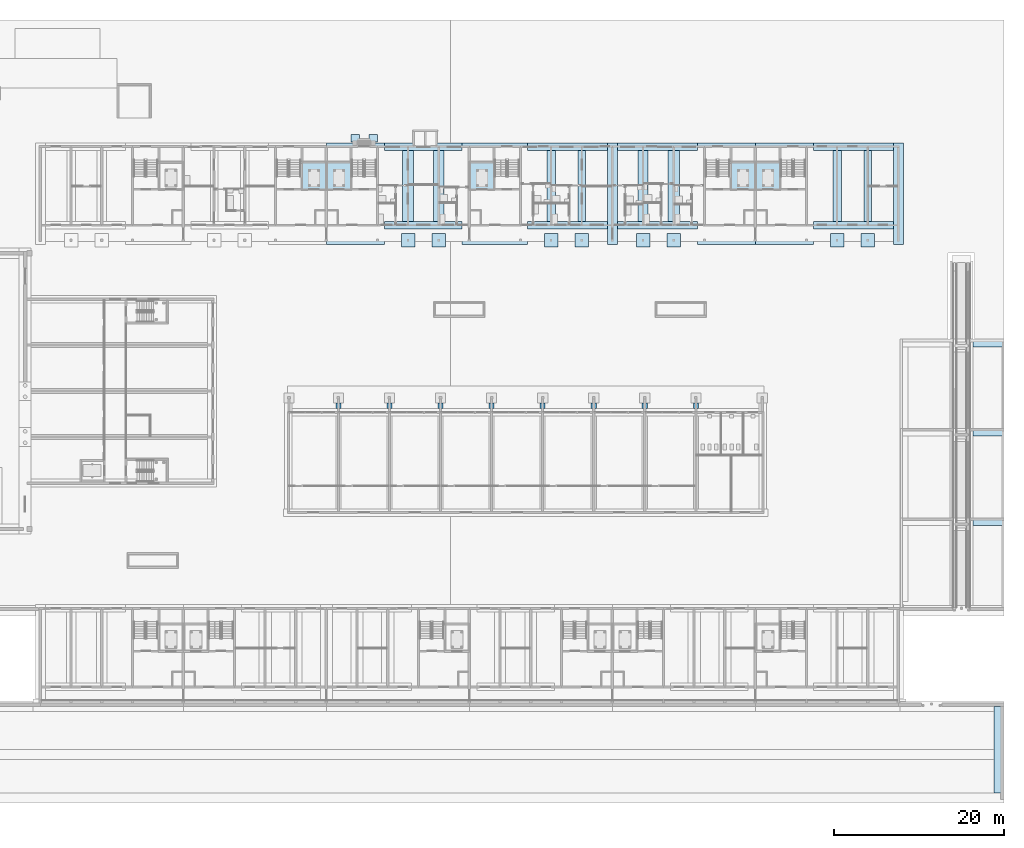
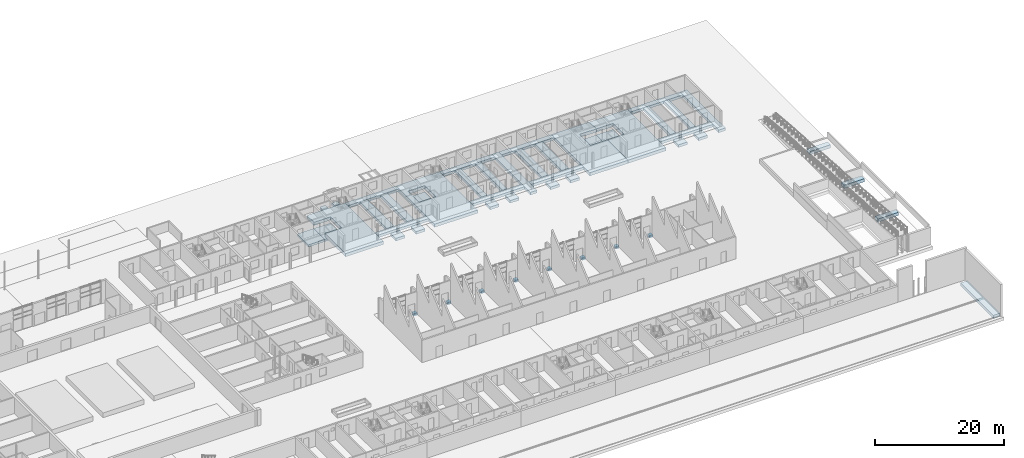
# One storey, part 6 of 112: 49 footings.
"""IFC4 building model written with IfcOpenShell, lengths in metres."""

from ifc_helpers import new_model, si_unit, direction, frame, origin, place, context, subcontext, project, spatial, polyline, outline, extrude, material, type_object, element, save


model = new_model("IFC4")

# Units and contexts
model_context = context("Model", 3, precision=1e-05, world=origin(), true_north=direction((0.0, 1.0)))
body_context = subcontext(model_context, "Body", "Model", "MODEL_VIEW")
ifc_project = project(units=[si_unit("LENGTHUNIT", "METRE"), si_unit("AREAUNIT", "SQUARE_METRE"), si_unit("VOLUMEUNIT", "CUBIC_METRE"), si_unit("PLANEANGLEUNIT", "RADIAN"), si_unit("MASSUNIT", "GRAM", prefix="KILO")], contexts=[model_context])

# Site, building, storey
site_placement = place(None, origin())
site = spatial("IfcSite", under=ifc_project, at=site_placement, CompositionType="ELEMENT")
building_placement = place(site_placement, origin())
building = spatial("IfcBuilding", under=site, at=building_placement, Name="Ridgestep Commons", CompositionType="ELEMENT")
storey_placement = place(building_placement, origin())
storey = spatial("IfcBuildingStorey", under=building, at=storey_placement, Name="L00", CompositionType="ELEMENT", Elevation=0.0)

# Footings
ifc_material_1 = material(Name="Concrete C30/37", Category="concrete")
footing_type_1 = type_object("IfcFootingType", Name="Community strip footing 1200 x 600", PredefinedType="STRIP_FOOTING", material=ifc_material_1)
footing_1_placement = place(storey_placement, frame((0.0, 0.0, -0.85009765625)))
element("IfcFooting", 1, at=footing_1_placement, inside=storey, type_object=footing_type_1, Name="Strip footing 1200 x 600", PredefinedType="STRIP_FOOTING", context=body_context, shape_type="SweptSolid", body=[
    extrude(outline(polyline([(258.798095703125, 1.199951171875), (259.998046875, 1.199951171875), (259.998046875, 11.35009765625), (258.798095703125, 11.35009765625), (258.798095703125, 1.199951171875)])), origin(), (0.0, 0.0, 1.0), 0.60009765625),
])
ifc_material_2 = material(Name="Concrete C30/37", Category="concrete")
footing_type_2 = type_object("IfcFootingType", Name="Community strip footing 600 x 450", PredefinedType="STRIP_FOOTING", material=ifc_material_2)
footing_2_placement = place(storey_placement, frame((0.0, 0.0, -0.699951171875)))
element("IfcFooting", 2, at=footing_2_placement, inside=storey, type_object=footing_type_2, Name="Strip footing 600 x 450", PredefinedType="STRIP_FOOTING", context=body_context, shape_type="SweptSolid", body=[
    extrude(outline(polyline([(181.5, 46.35009765625), (182.10009765625, 46.35009765625), (182.10009765625, 47.0), (181.5, 47.0), (181.5, 46.35009765625)])), origin(), (0.0, 0.0, 1.0), 0.449951171875),
])
footing_3_placement = place(storey_placement, frame((0.0, 0.0, -0.699951171875)))
element("IfcFooting", 3, at=footing_3_placement, inside=storey, type_object=footing_type_2, Name="Strip footing 600 x 450", PredefinedType="STRIP_FOOTING", context=body_context, shape_type="SweptSolid", body=[
    extrude(outline(polyline([(187.5, 46.35009765625), (188.10009765625, 46.35009765625), (188.10009765625, 47.0), (187.5, 47.0), (187.5, 46.35009765625)])), origin(), (0.0, 0.0, 1.0), 0.449951171875),
])
footing_4_placement = place(storey_placement, frame((0.0, 0.0, -0.699951171875)))
element("IfcFooting", 4, at=footing_4_placement, inside=storey, type_object=footing_type_2, Name="Strip footing 600 x 450", PredefinedType="STRIP_FOOTING", context=body_context, shape_type="SweptSolid", body=[
    extrude(outline(polyline([(193.5, 46.35009765625), (194.10009765625, 46.35009765625), (194.10009765625, 47.0), (193.5, 47.0), (193.5, 46.35009765625)])), origin(), (0.0, 0.0, 1.0), 0.449951171875),
])
footing_5_placement = place(storey_placement, frame((0.0, 0.0, -0.699951171875)))
element("IfcFooting", 5, at=footing_5_placement, inside=storey, type_object=footing_type_2, Name="Strip footing 600 x 450", PredefinedType="STRIP_FOOTING", context=body_context, shape_type="SweptSolid", body=[
    extrude(outline(polyline([(199.5, 46.35009765625), (200.10009765625, 46.35009765625), (200.10009765625, 47.0), (199.5, 47.0), (199.5, 46.35009765625)])), origin(), (0.0, 0.0, 1.0), 0.449951171875),
])
footing_6_placement = place(storey_placement, frame((0.0, 0.0, -0.699951171875)))
element("IfcFooting", 6, at=footing_6_placement, inside=storey, type_object=footing_type_2, Name="Strip footing 600 x 450", PredefinedType="STRIP_FOOTING", context=body_context, shape_type="SweptSolid", body=[
    extrude(outline(polyline([(205.5, 46.35009765625), (206.10009765625, 46.35009765625), (206.10009765625, 47.0), (205.5, 47.0), (205.5, 46.35009765625)])), origin(), (0.0, 0.0, 1.0), 0.449951171875),
])
footing_7_placement = place(storey_placement, frame((0.0, 0.0, -0.699951171875)))
element("IfcFooting", 7, at=footing_7_placement, inside=storey, type_object=footing_type_2, Name="Strip footing 600 x 450", PredefinedType="STRIP_FOOTING", context=body_context, shape_type="SweptSolid", body=[
    extrude(outline(polyline([(211.5, 46.35009765625), (212.10009765625, 46.35009765625), (212.10009765625, 47.0), (211.5, 47.0), (211.5, 46.35009765625)])), origin(), (0.0, 0.0, 1.0), 0.449951171875),
])
footing_8_placement = place(storey_placement, frame((0.0, 0.0, -0.699951171875)))
element("IfcFooting", 8, at=footing_8_placement, inside=storey, type_object=footing_type_2, Name="Strip footing 600 x 450", PredefinedType="STRIP_FOOTING", context=body_context, shape_type="SweptSolid", body=[
    extrude(outline(polyline([(217.5, 46.35009765625), (218.10009765625, 46.35009765625), (218.10009765625, 47.0), (217.5, 47.0), (217.5, 46.35009765625)])), origin(), (0.0, 0.0, 1.0), 0.449951171875),
])
footing_9_placement = place(storey_placement, frame((0.0, 0.0, -0.699951171875)))
element("IfcFooting", 9, at=footing_9_placement, inside=storey, type_object=footing_type_2, Name="Strip footing 600 x 450", PredefinedType="STRIP_FOOTING", context=body_context, shape_type="SweptSolid", body=[
    extrude(outline(polyline([(223.5, 46.35009765625), (224.10009765625, 46.35009765625), (224.10009765625, 47.0), (223.5, 47.0), (223.5, 46.35009765625)])), origin(), (0.0, 0.0, 1.0), 0.449951171875),
])
ifc_material_3 = material(Name="Concrete C30/37", Category="concrete")
footing_type_3 = type_object("IfcFootingType", Name="Community strip footing 900 x 600", PredefinedType="STRIP_FOOTING", material=ifc_material_3)
footing_10_placement = place(storey_placement, frame((0.0, 0.0, -0.85009765625)))
element("IfcFooting", 10, at=footing_10_placement, inside=storey, type_object=footing_type_3, Name="Strip footing 900 x 600", PredefinedType="STRIP_FOOTING", context=body_context, shape_type="SweptSolid", body=[
    extrude(outline(polyline([(256.35009765625, 53.60009765625), (259.989990234375, 53.60009765625), (259.989990234375, 54.5), (256.35009765625, 54.5), (256.35009765625, 53.60009765625)])), origin(), (0.0, 0.0, 1.0), 0.60009765625),
])
footing_11_placement = place(storey_placement, frame((0.0, 0.0, -0.85009765625)))
element("IfcFooting", 11, at=footing_11_placement, inside=storey, type_object=footing_type_3, Name="Strip footing 900 x 600", PredefinedType="STRIP_FOOTING", context=body_context, shape_type="SweptSolid", body=[
    extrude(outline(polyline([(256.35009765625, 43.10009765625), (259.989990234375, 43.10009765625), (259.989990234375, 44.0), (256.35009765625, 44.0), (256.35009765625, 43.10009765625)])), origin(), (0.0, 0.0, 1.0), 0.60009765625),
])
footing_12_placement = place(storey_placement, frame((0.0, 0.0, -0.85009765625)))
element("IfcFooting", 12, at=footing_12_placement, inside=storey, type_object=footing_type_3, Name="Strip footing 900 x 600", PredefinedType="STRIP_FOOTING", context=body_context, shape_type="SweptSolid", body=[
    extrude(outline(polyline([(256.35009765625, 32.60009765625), (259.989990234375, 32.60009765625), (259.989990234375, 33.5), (256.35009765625, 33.5), (256.35009765625, 32.60009765625)])), origin(), (0.0, 0.0, 1.0), 0.60009765625),
])
ifc_material_4 = material(Name="Concrete C30/37", Category="concrete")
footing_type_4 = type_object("IfcFootingType", Name="Core footing 6800 x 11925 x 600", PredefinedType="PAD_FOOTING", material=ifc_material_4)
footing_13_placement = place(storey_placement, frame((0.0, 0.0, -0.85009765625)))
element("IfcFooting", 13, at=footing_13_placement, inside=storey, type_object=footing_type_4, Name="Core footing C3C", PredefinedType="PAD_FOOTING", context=body_context, shape_type="SweptSolid", body=[
    extrude(outline(polyline([(180.39990234375, 77.574951171875), (180.39990234375, 75.39990234375), (183.375, 75.39990234375), (183.375, 72.0), (180.39990234375, 72.0), (180.39990234375, 65.64990234375), (187.199951171875, 65.64990234375), (187.199951171875, 77.574951171875), (180.39990234375, 77.574951171875)])), origin(), (0.0, 0.0, 1.0), 0.60009765625),
])
footing_14_placement = place(storey_placement, frame((0.0, 0.0, -0.85009765625)))
element("IfcFooting", 14, at=footing_14_placement, inside=storey, type_object=footing_type_4, Name="Core footing C5C", PredefinedType="PAD_FOOTING", context=body_context, shape_type="SweptSolid", body=[
    extrude(outline(polyline([(230.800048828125, 65.64990234375), (230.800048828125, 72.0), (227.824951171875, 72.0), (227.824951171875, 75.39990234375), (230.800048828125, 75.39990234375), (230.800048828125, 77.574951171875), (224.0, 77.574951171875), (224.0, 65.64990234375), (230.800048828125, 65.64990234375)])), origin(), (0.0, 0.0, 1.0), 0.60009765625),
])
footing_15_placement = place(storey_placement, frame((0.0, 0.0, -0.85009765625)))
element("IfcFooting", 15, at=footing_15_placement, inside=storey, type_object=footing_type_4, Name="Core footing C6C", PredefinedType="PAD_FOOTING", context=body_context, shape_type="SweptSolid", body=[
    extrude(outline(polyline([(230.800048828125, 77.574951171875), (230.800048828125, 75.39990234375), (233.77490234375, 75.39990234375), (233.77490234375, 72.0), (230.800048828125, 72.0), (230.800048828125, 65.64990234375), (237.60009765625, 65.64990234375), (237.60009765625, 77.574951171875), (230.800048828125, 77.574951171875)])), origin(), (0.0, 0.0, 1.0), 0.60009765625),
])
ifc_material_5 = material(Name="Concrete C30/37", Category="concrete")
footing_type_5 = type_object("IfcFootingType", Name="Core footing 7700 x 11925 x 600", PredefinedType="PAD_FOOTING", material=ifc_material_5)
footing_16_placement = place(storey_placement, frame((0.0, 0.0, -0.85009765625)))
element("IfcFooting", 16, at=footing_16_placement, inside=storey, type_object=footing_type_5, Name="Core footing C4C", PredefinedType="PAD_FOOTING", context=body_context, shape_type="SweptSolid", body=[
    extrude(outline(polyline([(196.300048828125, 65.64990234375), (204.0, 65.64990234375), (204.0, 77.574951171875), (196.300048828125, 77.574951171875), (196.300048828125, 65.64990234375)]), holes=[polyline([(200.175048828125, 75.39990234375), (200.175048828125, 72.0), (197.199951171875, 72.0), (197.199951171875, 75.39990234375), (200.175048828125, 75.39990234375)])]), origin(), (0.0, 0.0, 1.0), 0.60009765625),
])
ifc_material_6 = material(Name="Concrete C30/37", Category="concrete")
footing_type_6 = type_object("IfcFootingType", Name="Lift pit footing 2975 x 3400 x 400", PredefinedType="PAD_FOOTING", material=ifc_material_6)
footing_17_placement = place(storey_placement, frame((0.0, 0.0, -1.800048828125)))
element("IfcFooting", 17, at=footing_17_placement, inside=storey, type_object=footing_type_6, Name="Lift pit footing C2C", PredefinedType="PAD_FOOTING", context=body_context, shape_type="SweptSolid", body=[
    extrude(outline(polyline([(180.39990234375, 72.0), (180.39990234375, 75.39990234375), (177.425048828125, 75.39990234375), (177.425048828125, 72.0), (180.39990234375, 72.0)])), origin(), (0.0, 0.0, 1.0), 0.400146484375),
])
footing_18_placement = place(storey_placement, frame((0.0, 0.0, -1.800048828125)))
element("IfcFooting", 18, at=footing_18_placement, inside=storey, type_object=footing_type_6, Name="Lift pit footing C3C", PredefinedType="PAD_FOOTING", context=body_context, shape_type="SweptSolid", body=[
    extrude(outline(polyline([(183.375, 72.0), (183.375, 75.39990234375), (180.39990234375, 75.39990234375), (180.39990234375, 72.0), (183.375, 72.0)])), origin(), (0.0, 0.0, 1.0), 0.400146484375),
])
footing_19_placement = place(storey_placement, frame((0.0, 0.0, -1.800048828125)))
element("IfcFooting", 19, at=footing_19_placement, inside=storey, type_object=footing_type_6, Name="Lift pit footing C4C", PredefinedType="PAD_FOOTING", context=body_context, shape_type="SweptSolid", body=[
    extrude(outline(polyline([(200.175048828125, 72.0), (200.175048828125, 75.39990234375), (197.199951171875, 75.39990234375), (197.199951171875, 72.0), (200.175048828125, 72.0)])), origin(), (0.0, 0.0, 1.0), 0.400146484375),
])
footing_20_placement = place(storey_placement, frame((0.0, 0.0, -1.800048828125)))
element("IfcFooting", 20, at=footing_20_placement, inside=storey, type_object=footing_type_6, Name="Lift pit footing C5C", PredefinedType="PAD_FOOTING", context=body_context, shape_type="SweptSolid", body=[
    extrude(outline(polyline([(230.800048828125, 72.0), (230.800048828125, 75.39990234375), (227.824951171875, 75.39990234375), (227.824951171875, 72.0), (230.800048828125, 72.0)])), origin(), (0.0, 0.0, 1.0), 0.400146484375),
])
footing_21_placement = place(storey_placement, frame((0.0, 0.0, -1.800048828125)))
element("IfcFooting", 21, at=footing_21_placement, inside=storey, type_object=footing_type_6, Name="Lift pit footing C6C", PredefinedType="PAD_FOOTING", context=body_context, shape_type="SweptSolid", body=[
    extrude(outline(polyline([(233.77490234375, 72.0), (233.77490234375, 75.39990234375), (230.800048828125, 75.39990234375), (230.800048828125, 72.0), (233.77490234375, 72.0)])), origin(), (0.0, 0.0, 1.0), 0.400146484375),
])
ifc_material_7 = material(Name="Concrete C30/37", Category="concrete")
footing_type_7 = type_object("IfcFootingType", Name="Pad footing 1600 x 1600 x 500", PredefinedType="PAD_FOOTING", material=ifc_material_7)
footing_22_placement = place(storey_placement, frame((0.0, 0.0, -0.75)))
element("IfcFooting", 22, at=footing_22_placement, inside=storey, type_object=footing_type_7, Name="Pad footing C 1900", PredefinedType="PAD_FOOTING", context=body_context, shape_type="SweptSolid", body=[
    extrude(outline(polyline([(190.800048828125, 65.324951171875), (190.800048828125, 66.925048828125), (189.199951171875, 66.925048828125), (189.199951171875, 65.324951171875), (190.800048828125, 65.324951171875)])), origin(), (0.0, 0.0, 1.0), 0.5),
])
footing_23_placement = place(storey_placement, frame((0.0, 0.0, -0.75)))
element("IfcFooting", 23, at=footing_23_placement, inside=storey, type_object=footing_type_7, Name="Pad footing C 1936", PredefinedType="PAD_FOOTING", context=body_context, shape_type="SweptSolid", body=[
    extrude(outline(polyline([(194.39990234375, 65.324951171875), (194.39990234375, 66.925048828125), (192.800048828125, 66.925048828125), (192.800048828125, 65.324951171875), (194.39990234375, 65.324951171875)])), origin(), (0.0, 0.0, 1.0), 0.5),
])
footing_24_placement = place(storey_placement, frame((0.0, 0.0, -0.75)))
element("IfcFooting", 24, at=footing_24_placement, inside=storey, type_object=footing_type_7, Name="Pad footing C 2068", PredefinedType="PAD_FOOTING", context=body_context, shape_type="SweptSolid", body=[
    extrude(outline(polyline([(207.60009765625, 65.324951171875), (207.60009765625, 66.925048828125), (206.0, 66.925048828125), (206.0, 65.324951171875), (207.60009765625, 65.324951171875)])), origin(), (0.0, 0.0, 1.0), 0.5),
])
footing_25_placement = place(storey_placement, frame((0.0, 0.0, -0.75)))
element("IfcFooting", 25, at=footing_25_placement, inside=storey, type_object=footing_type_7, Name="Pad footing C 2104", PredefinedType="PAD_FOOTING", context=body_context, shape_type="SweptSolid", body=[
    extrude(outline(polyline([(211.199951171875, 65.324951171875), (211.199951171875, 66.925048828125), (209.60009765625, 66.925048828125), (209.60009765625, 65.324951171875), (211.199951171875, 65.324951171875)])), origin(), (0.0, 0.0, 1.0), 0.5),
])
footing_26_placement = place(storey_placement, frame((0.0, 0.0, -0.75)))
element("IfcFooting", 26, at=footing_26_placement, inside=storey, type_object=footing_type_7, Name="Pad footing C 2176", PredefinedType="PAD_FOOTING", context=body_context, shape_type="SweptSolid", body=[
    extrude(outline(polyline([(218.39990234375, 65.324951171875), (218.39990234375, 66.925048828125), (216.800048828125, 66.925048828125), (216.800048828125, 65.324951171875), (218.39990234375, 65.324951171875)])), origin(), (0.0, 0.0, 1.0), 0.5),
])
footing_27_placement = place(storey_placement, frame((0.0, 0.0, -0.75)))
element("IfcFooting", 27, at=footing_27_placement, inside=storey, type_object=footing_type_7, Name="Pad footing C 2212", PredefinedType="PAD_FOOTING", context=body_context, shape_type="SweptSolid", body=[
    extrude(outline(polyline([(222.0, 65.324951171875), (222.0, 66.925048828125), (220.39990234375, 66.925048828125), (220.39990234375, 65.324951171875), (222.0, 65.324951171875)])), origin(), (0.0, 0.0, 1.0), 0.5),
])
footing_28_placement = place(storey_placement, frame((0.0, 0.0, -0.75)))
element("IfcFooting", 28, at=footing_28_placement, inside=storey, type_object=footing_type_7, Name="Pad footing C 2404", PredefinedType="PAD_FOOTING", context=body_context, shape_type="SweptSolid", body=[
    extrude(outline(polyline([(241.199951171875, 65.324951171875), (241.199951171875, 66.925048828125), (239.60009765625, 66.925048828125), (239.60009765625, 65.324951171875), (241.199951171875, 65.324951171875)])), origin(), (0.0, 0.0, 1.0), 0.5),
])
footing_29_placement = place(storey_placement, frame((0.0, 0.0, -0.75)))
element("IfcFooting", 29, at=footing_29_placement, inside=storey, type_object=footing_type_7, Name="Pad footing C 2440", PredefinedType="PAD_FOOTING", context=body_context, shape_type="SweptSolid", body=[
    extrude(outline(polyline([(244.800048828125, 65.324951171875), (244.800048828125, 66.925048828125), (243.199951171875, 66.925048828125), (243.199951171875, 65.324951171875), (244.800048828125, 65.324951171875)])), origin(), (0.0, 0.0, 1.0), 0.5),
])
ifc_material_8 = material(Name="Concrete C30/37", Category="concrete")
footing_type_8 = type_object("IfcFootingType", Name="Portal pier pad 1000 x 1000 x 400", PredefinedType="PAD_FOOTING", material=ifc_material_8)
footing_30_placement = place(storey_placement, frame((0.0, 0.0, -0.64990234375)))
element("IfcFooting", 30, at=footing_30_placement, inside=storey, type_object=footing_type_8, Name="Portal pad C1", PredefinedType="PAD_FOOTING", context=body_context, shape_type="SweptSolid", body=[
    extrude(outline(polyline([(183.27490234375, 77.64990234375), (184.27490234375, 77.64990234375), (184.27490234375, 78.550048828125), (183.27490234375, 78.550048828125), (183.27490234375, 77.64990234375)])), origin(), (0.0, 0.0, 1.0), 0.39990234375),
])
footing_31_placement = place(storey_placement, frame((0.0, 0.0, -0.64990234375)))
element("IfcFooting", 31, at=footing_31_placement, inside=storey, type_object=footing_type_8, Name="Portal pad C2", PredefinedType="PAD_FOOTING", context=body_context, shape_type="SweptSolid", body=[
    extrude(outline(polyline([(185.375, 77.64990234375), (186.375, 77.64990234375), (186.375, 78.550048828125), (185.375, 78.550048828125), (185.375, 77.64990234375)])), origin(), (0.0, 0.0, 1.0), 0.39990234375),
])
ifc_material_9 = material(Name="Concrete C30/37", Category="concrete")
footing_type_9 = type_object("IfcFootingType", Name="Strip footing 1000 x 500", PredefinedType="STRIP_FOOTING", material=ifc_material_9)
footing_32_placement = place(storey_placement, frame((0.0, 0.0, -0.75)))
element("IfcFooting", 32, at=footing_32_placement, inside=storey, type_object=footing_type_9, Name="Strip footing C line 2068", PredefinedType="STRIP_FOOTING", context=body_context, shape_type="SweptSolid", body=[
    extrude(outline(polyline([(207.300048828125, 68.35009765625), (207.300048828125, 76.675048828125), (206.300048828125, 76.675048828125), (206.300048828125, 68.35009765625), (207.300048828125, 68.35009765625)])), origin(), (0.0, 0.0, 1.0), 0.5),
])
footing_33_placement = place(storey_placement, frame((0.0, 0.0, -0.75)))
element("IfcFooting", 33, at=footing_33_placement, inside=storey, type_object=footing_type_9, Name="Strip footing C line 2404", PredefinedType="STRIP_FOOTING", context=body_context, shape_type="SweptSolid", body=[
    extrude(outline(polyline([(240.89990234375, 68.35009765625), (240.89990234375, 76.675048828125), (239.89990234375, 76.675048828125), (239.89990234375, 68.35009765625), (240.89990234375, 68.35009765625)])), origin(), (0.0, 0.0, 1.0), 0.5),
])
ifc_material_10 = material(Name="Concrete C30/37", Category="concrete")
footing_type_10 = type_object("IfcFootingType", Name="Strip footing 1200 x 500", PredefinedType="STRIP_FOOTING", material=ifc_material_10)
footing_34_placement = place(storey_placement, frame((0.0, 0.0, -0.75)))
element("IfcFooting", 34, at=footing_34_placement, inside=storey, type_object=footing_type_10, Name="Strip footing C line 1936", PredefinedType="STRIP_FOOTING", context=body_context, shape_type="SweptSolid", body=[
    extrude(outline(polyline([(194.199951171875, 68.35009765625), (194.199951171875, 76.675048828125), (193.0, 76.675048828125), (193.0, 68.35009765625), (194.199951171875, 68.35009765625)])), origin(), (0.0, 0.0, 1.0), 0.5),
])
footing_35_placement = place(storey_placement, frame((0.0, 0.0, -0.75)))
element("IfcFooting", 35, at=footing_35_placement, inside=storey, type_object=footing_type_10, Name="Strip footing C line 2140", PredefinedType="STRIP_FOOTING", context=body_context, shape_type="SweptSolid", body=[
    extrude(outline(polyline([(214.60009765625, 65.64990234375), (214.60009765625, 77.574951171875), (213.39990234375, 77.574951171875), (213.39990234375, 65.64990234375), (214.60009765625, 65.64990234375)])), origin(), (0.0, 0.0, 1.0), 0.5),
])
footing_36_placement = place(storey_placement, frame((0.0, 0.0, -0.75)))
element("IfcFooting", 36, at=footing_36_placement, inside=storey, type_object=footing_type_10, Name="Strip footing C line 2176", PredefinedType="STRIP_FOOTING", context=body_context, shape_type="SweptSolid", body=[
    extrude(outline(polyline([(218.199951171875, 68.35009765625), (218.199951171875, 76.675048828125), (217.0, 76.675048828125), (217.0, 68.35009765625), (218.199951171875, 68.35009765625)])), origin(), (0.0, 0.0, 1.0), 0.5),
])
footing_37_placement = place(storey_placement, frame((0.0, 0.0, -0.75)))
element("IfcFooting", 37, at=footing_37_placement, inside=storey, type_object=footing_type_10, Name="Strip footing C line 2476", PredefinedType="STRIP_FOOTING", context=body_context, shape_type="SweptSolid", body=[
    extrude(outline(polyline([(248.199951171875, 65.64990234375), (248.199951171875, 77.574951171875), (247.0, 77.574951171875), (247.0, 65.64990234375), (248.199951171875, 65.64990234375)])), origin(), (0.0, 0.0, 1.0), 0.5),
])
ifc_material_11 = material(Name="Concrete C30/37", Category="concrete")
footing_type_11 = type_object("IfcFootingType", Name="Strip footing 1300 x 500", PredefinedType="STRIP_FOOTING", material=ifc_material_11)
footing_38_placement = place(storey_placement, frame((0.0, 0.0, -0.75)))
element("IfcFooting", 38, at=footing_38_placement, inside=storey, type_object=footing_type_11, Name="Strip footing C line 1900", PredefinedType="STRIP_FOOTING", context=body_context, shape_type="SweptSolid", body=[
    extrude(outline(polyline([(190.64990234375, 68.35009765625), (190.64990234375, 76.675048828125), (189.35009765625, 76.675048828125), (189.35009765625, 68.35009765625), (190.64990234375, 68.35009765625)])), origin(), (0.0, 0.0, 1.0), 0.5),
])
footing_39_placement = place(storey_placement, frame((0.0, 0.0, -0.75)))
element("IfcFooting", 39, at=footing_39_placement, inside=storey, type_object=footing_type_11, Name="Strip footing C line 2212", PredefinedType="STRIP_FOOTING", context=body_context, shape_type="SweptSolid", body=[
    extrude(outline(polyline([(221.85009765625, 68.35009765625), (221.85009765625, 76.675048828125), (220.550048828125, 76.675048828125), (220.550048828125, 68.35009765625), (221.85009765625, 68.35009765625)])), origin(), (0.0, 0.0, 1.0), 0.5),
])
ifc_material_12 = material(Name="Concrete C30/37", Category="concrete")
footing_type_12 = type_object("IfcFootingType", Name="Strip footing 900 x 500", PredefinedType="STRIP_FOOTING", material=ifc_material_12)
footing_40_placement = place(storey_placement, frame((0.0, 0.0, -0.75)))
element("IfcFooting", 40, at=footing_40_placement, inside=storey, type_object=footing_type_12, Name="Strip footing C line 2104", PredefinedType="STRIP_FOOTING", context=body_context, shape_type="SweptSolid", body=[
    extrude(outline(polyline([(210.85009765625, 68.35009765625), (210.85009765625, 76.675048828125), (209.949951171875, 76.675048828125), (209.949951171875, 68.35009765625), (210.85009765625, 68.35009765625)])), origin(), (0.0, 0.0, 1.0), 0.5),
])
footing_41_placement = place(storey_placement, frame((0.0, 0.0, -0.75)))
element("IfcFooting", 41, at=footing_41_placement, inside=storey, type_object=footing_type_12, Name="Strip footing C line 2440", PredefinedType="STRIP_FOOTING", context=body_context, shape_type="SweptSolid", body=[
    extrude(outline(polyline([(244.449951171875, 68.35009765625), (244.449951171875, 76.675048828125), (243.550048828125, 76.675048828125), (243.550048828125, 68.35009765625), (244.449951171875, 68.35009765625)])), origin(), (0.0, 0.0, 1.0), 0.5),
])
footing_42_placement = place(storey_placement, frame((0.0, 0.0, -0.75)))
element("IfcFooting", 42, at=footing_42_placement, inside=storey, type_object=footing_type_12, Name="Facade strip footing C N03", PredefinedType="STRIP_FOOTING", context=body_context, shape_type="SweptSolid", body=[
    extrude(outline(polyline([(196.300048828125, 76.675048828125), (196.300048828125, 77.574951171875), (187.199951171875, 77.574951171875), (187.199951171875, 76.675048828125), (196.300048828125, 76.675048828125)])), origin(), (0.0, 0.0, 1.0), 0.5),
])
footing_43_placement = place(storey_placement, frame((0.0, 0.0, -0.75)))
element("IfcFooting", 43, at=footing_43_placement, inside=storey, type_object=footing_type_12, Name="Facade strip footing C N04", PredefinedType="STRIP_FOOTING", context=body_context, shape_type="SweptSolid", body=[
    extrude(outline(polyline([(213.39990234375, 76.675048828125), (213.39990234375, 77.574951171875), (204.0, 77.574951171875), (204.0, 76.675048828125), (213.39990234375, 76.675048828125)])), origin(), (0.0, 0.0, 1.0), 0.5),
])
footing_44_placement = place(storey_placement, frame((0.0, 0.0, -0.75)))
element("IfcFooting", 44, at=footing_44_placement, inside=storey, type_object=footing_type_12, Name="Facade strip footing C N05", PredefinedType="STRIP_FOOTING", context=body_context, shape_type="SweptSolid", body=[
    extrude(outline(polyline([(224.0, 76.675048828125), (224.0, 77.574951171875), (214.60009765625, 77.574951171875), (214.60009765625, 76.675048828125), (224.0, 76.675048828125)])), origin(), (0.0, 0.0, 1.0), 0.5),
])
footing_45_placement = place(storey_placement, frame((0.0, 0.0, -0.75)))
element("IfcFooting", 45, at=footing_45_placement, inside=storey, type_object=footing_type_12, Name="Facade strip footing C N06", PredefinedType="STRIP_FOOTING", context=body_context, shape_type="SweptSolid", body=[
    extrude(outline(polyline([(247.0, 76.675048828125), (247.0, 77.574951171875), (237.60009765625, 77.574951171875), (237.60009765625, 76.675048828125), (247.0, 76.675048828125)])), origin(), (0.0, 0.0, 1.0), 0.5),
])
footing_46_placement = place(storey_placement, frame((0.0, 0.0, -0.75)))
element("IfcFooting", 46, at=footing_46_placement, inside=storey, type_object=footing_type_12, Name="Facade strip footing C S03", PredefinedType="STRIP_FOOTING", context=body_context, shape_type="SweptSolid", body=[
    extrude(outline(polyline([(196.300048828125, 67.449951171875), (196.300048828125, 68.35009765625), (187.199951171875, 68.35009765625), (187.199951171875, 67.449951171875), (196.300048828125, 67.449951171875)])), origin(), (0.0, 0.0, 1.0), 0.5),
])
footing_47_placement = place(storey_placement, frame((0.0, 0.0, -0.75)))
element("IfcFooting", 47, at=footing_47_placement, inside=storey, type_object=footing_type_12, Name="Facade strip footing C S04", PredefinedType="STRIP_FOOTING", context=body_context, shape_type="SweptSolid", body=[
    extrude(outline(polyline([(213.39990234375, 67.449951171875), (213.39990234375, 68.35009765625), (204.0, 68.35009765625), (204.0, 67.449951171875), (213.39990234375, 67.449951171875)])), origin(), (0.0, 0.0, 1.0), 0.5),
])
footing_48_placement = place(storey_placement, frame((0.0, 0.0, -0.75)))
element("IfcFooting", 48, at=footing_48_placement, inside=storey, type_object=footing_type_12, Name="Facade strip footing C S05", PredefinedType="STRIP_FOOTING", context=body_context, shape_type="SweptSolid", body=[
    extrude(outline(polyline([(224.0, 67.449951171875), (224.0, 68.35009765625), (214.60009765625, 68.35009765625), (214.60009765625, 67.449951171875), (224.0, 67.449951171875)])), origin(), (0.0, 0.0, 1.0), 0.5),
])
footing_49_placement = place(storey_placement, frame((0.0, 0.0, -0.75)))
element("IfcFooting", 49, at=footing_49_placement, inside=storey, type_object=footing_type_12, Name="Facade strip footing C S06", PredefinedType="STRIP_FOOTING", context=body_context, shape_type="SweptSolid", body=[
    extrude(outline(polyline([(247.0, 67.449951171875), (247.0, 68.35009765625), (237.60009765625, 68.35009765625), (237.60009765625, 67.449951171875), (247.0, 67.449951171875)])), origin(), (0.0, 0.0, 1.0), 0.5),
])

save(model, "model.ifc")
